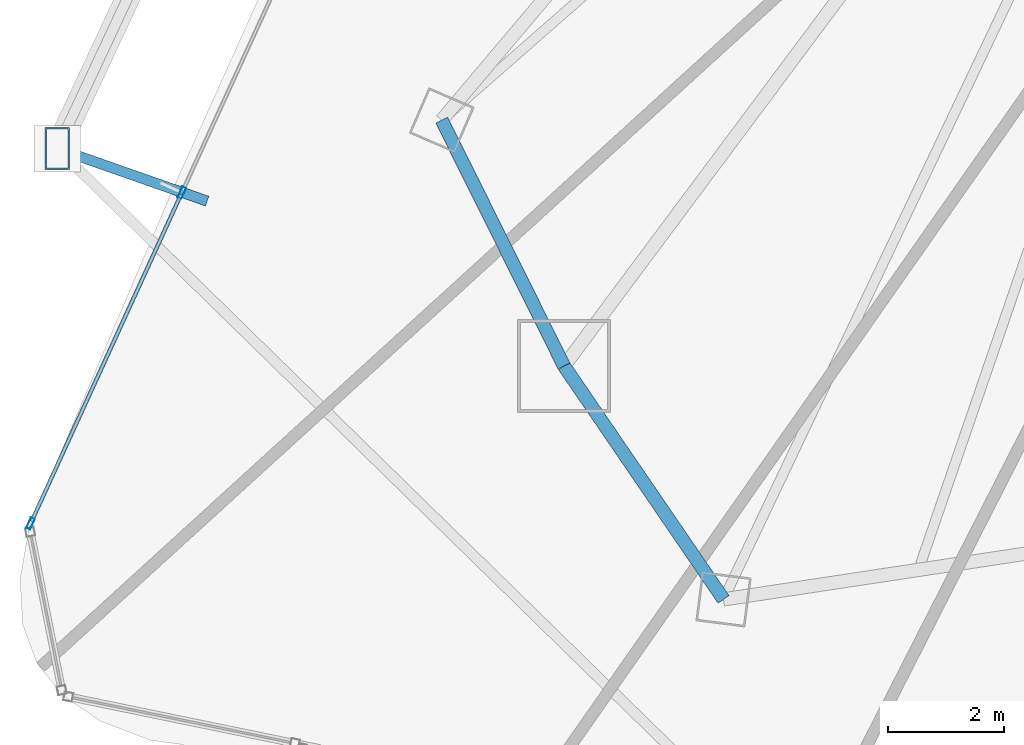
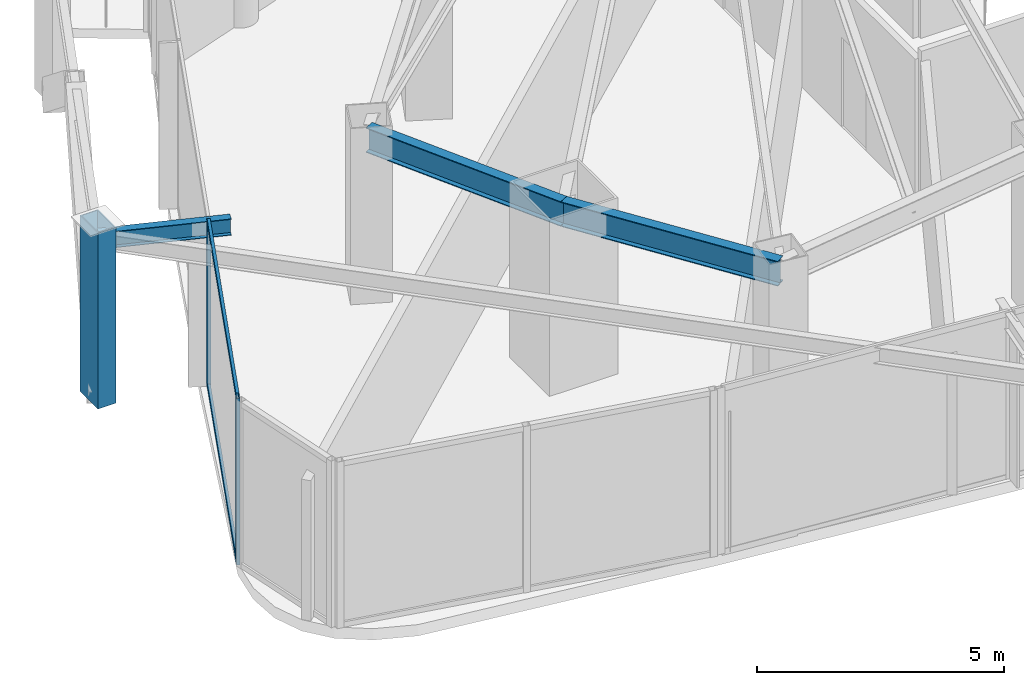
# One storey, part 5 of 33: 5 members, 3 beams, 1 element without a shape of its own.
"""IFC4 building model written with IfcOpenShell, lengths in metres."""

from ifc_helpers import new_model, si_unit, direction, frame, origin, origin_2d, place, context, subcontext, project, spatial, hollow_rectangle, i_section, extrude, material, layer, layer_set, material_profile, profile_set, type_object, element, aggregate, save


model = new_model("IFC4")

# Units and contexts
model_context = context("Model", 3, precision=1e-05, world=origin(), true_north=direction((0.0, 1.0)))
body_context = subcontext(model_context, "Body", "Model", "MODEL_VIEW")
ifc_project = project(units=[si_unit("LENGTHUNIT", "METRE"), si_unit("AREAUNIT", "SQUARE_METRE"), si_unit("VOLUMEUNIT", "CUBIC_METRE"), si_unit("PLANEANGLEUNIT", "RADIAN"), si_unit("MASSUNIT", "GRAM", prefix="KILO")], contexts=[model_context])

# Site, building, storey
site_placement = place(None, origin())
site = spatial("IfcSite", under=ifc_project, at=site_placement, CompositionType="ELEMENT")
building_placement = place(site_placement, origin())
building = spatial("IfcBuilding", under=site, at=building_placement, Name="Orvanel Arch Residences", CompositionType="ELEMENT")
storey_placement = place(building_placement, frame((0.0, 0.0, 59.89990234375)))
storey = spatial("IfcBuildingStorey", under=building, at=storey_placement, Name="L16", CompositionType="ELEMENT", Elevation=59.89990234375)

# Member
ifc_material_1 = material(Name="Structural steel AS/NZS 3678 Grade 350", Category="steel")
ifc_material_profile_1 = material_profile(ifc_material_1, hollow_rectangle(XDim=0.419921875, YDim=0.719970703125, WallThickness=0.02490234375, at=origin_2d()), Name="RHS720x420x25")
ifc_profile_set_1 = profile_set([ifc_material_profile_1], Name="Structural steel AS/NZS 3678 Grade 350")
member_type_1 = type_object("IfcMemberType", Name="CH-720RHS-EXT", PredefinedType="CHORD", material=ifc_profile_set_1)
member_1_placement = place(storey_placement, frame((5.48291015625, 14.091064453125, 0.0), z_axis=(0.0, 0.0, 1.0), x_axis=(1.0, 0.0, 0.0)))
element("IfcMember", 1, at=member_1_placement, inside=storey, type_object=member_type_1, Name="L16 Outer Perimeter Frame Post 04", PredefinedType="CHORD", context=body_context, shape_type="SweptSolid", body=[
    extrude(hollow_rectangle(XDim=0.419921875, YDim=0.719970703125, WallThickness=0.02490234375, at=origin_2d()), origin(), (0.0, 0.0, 1.0), 4.35009765625),
])

# Curtain wall, members
ifc_material_2 = material(Name="Bronze-anodised aluminium AA6063-T6", Category="aluminium")
ifc_layer = layer(ifc_material_2, 0.195068359375)
ifc_layer_set = layer_set([ifc_layer], Name="Bronze-anodised aluminium AA6063-T6")
curtain_wall_type = type_object("IfcCurtainWallType", Name="CW6-COM-SYS", PredefinedType="NOTDEFINED", material=ifc_layer_set)
curtain_wall_placement = place(storey_placement, origin())
curtain_wall = element("IfcCurtainWall", 2, at=curtain_wall_placement, inside=storey, type_object=curtain_wall_type, Name="L16 CW6-COM-SYS Unitised Curtain Wall", PredefinedType="NOTDEFINED")
ifc_material_profile_2 = material_profile(ifc_material_2, hollow_rectangle(XDim=0.074951171875, YDim=0.199951171875, WallThickness=0.0048828125, at=origin_2d()), Name="ALU200x75x5")
ifc_profile_set_2 = profile_set([ifc_material_profile_2], Name="Bronze-anodised aluminium AA6063-T6")
member_type_2 = type_object("IfcMemberType", Name="MUL-200x75", PredefinedType="MULLION", material=ifc_profile_set_2)
member_2_placement = place(storey_placement, frame((7.626708984375, 13.333740234375, 0.0), z_axis=(0.0, 0.0, 1.0), x_axis=(0.909406374809, -0.415908698463, 0.0)))
member_2 = element("IfcMember", 3, at=member_2_placement, type_object=member_type_2, Name="CW-S6 mullion 3", PredefinedType="MULLION", context=body_context, shape_type="SweptSolid", body=[
    extrude(hollow_rectangle(XDim=0.074951171875, YDim=0.199951171875, WallThickness=0.0048828125, at=origin_2d()), origin(), (0.0, 0.0, 1.0), 4.110107421875),
])
member_3_placement = place(storey_placement, frame((5.024658203125, 7.64404296875, 0.0), z_axis=(0.0, 0.0, 1.0), x_axis=(0.909406374809, -0.415908698463, 0.0)))
member_3 = element("IfcMember", 4, at=member_3_placement, type_object=member_type_2, Name="CW-S6 mullion 4", PredefinedType="MULLION", context=body_context, shape_type="SweptSolid", body=[
    extrude(hollow_rectangle(XDim=0.074951171875, YDim=0.199951171875, WallThickness=0.0048828125, at=origin_2d()), origin(), (0.0, 0.0, 1.0), 4.110107421875),
])

# Beams
ifc_material_3 = material(Name="Structural steel AS/NZS 3679.1 Grade 300 (300 MPa)", Category="steel")
ifc_material_profile_3 = material_profile(ifc_material_3, i_section(OverallWidth=0.177978515625, OverallDepth=0.406005859375, WebThickness=0.0078125, FlangeThickness=0.0126953125, at=origin_2d()), Name="410UB59.7")
ifc_profile_set_3 = profile_set([ifc_material_profile_3], Name="Structural steel AS/NZS 3679.1 Grade 300 (300 MPa)")
beam_type_1 = type_object("IfcBeamType", Name="OB-410UB-EXT", PredefinedType="SPANDREL", material=ifc_profile_set_3)
beam_1_placement = place(storey_placement, frame((8.06005859375, 13.18798828125, 3.906982421875), z_axis=(-0.943735636284, 0.330700844886, 0.0), x_axis=(-0.330700844886, -0.943735636284, 0.0)))
element("IfcBeam", 5, at=beam_1_placement, inside=storey, type_object=beam_type_1, Name="L16 Outer Frame Radial Tie Beam 04", PredefinedType="SPANDREL", context=body_context, shape_type="SweptSolid", body=[
    extrude(i_section(OverallWidth=0.177978515625, OverallDepth=0.406005859375, WebThickness=0.0078125, FlangeThickness=0.0126953125, at=origin_2d()), origin(), (0.0, 0.0, 1.0), 2.730712890625),
])
ifc_material_profile_4 = material_profile(ifc_material_3, i_section(OverallWidth=0.22900390625, OverallDepth=0.612060546875, WebThickness=0.011962890625, FlangeThickness=0.01953125, at=origin_2d()), Name="610UB125")
ifc_profile_set_4 = profile_set([ifc_material_profile_4], Name="Structural steel AS/NZS 3679.1 Grade 300 (300 MPa)")
beam_type_2 = type_object("IfcBeamType", Name="SP-610UB", PredefinedType="SPANDREL", material=ifc_profile_set_4)
beam_2_placement = place(storey_placement, frame((12.094970703125, 14.580078125, 3.80419921875), z_axis=(0.44543469453, -0.895314432425, 0.0), x_axis=(0.895314432425, 0.44543469453, 0.0)))
element("IfcBeam", 6, at=beam_2_placement, inside=storey, type_object=beam_type_2, Name="L16 Perimeter Spandrel Beam 02", PredefinedType="SPANDREL", context=body_context, shape_type="SweptSolid", body=[
    extrude(i_section(OverallWidth=0.22900390625, OverallDepth=0.612060546875, WebThickness=0.011962890625, FlangeThickness=0.01953125, at=origin_2d()), origin(), (0.0, 0.0, 1.0), 4.723388671875),
])
beam_3_placement = place(storey_placement, frame((14.198974609375, 10.35107421875, 3.80419921875), z_axis=(0.564251579852, -0.825602903722, 0.0), x_axis=(0.825602903722, 0.564251579852, 0.0)))
element("IfcBeam", 7, at=beam_3_placement, inside=storey, type_object=beam_type_2, Name="L16 Perimeter Spandrel Beam 03", PredefinedType="SPANDREL", context=body_context, shape_type="SweptSolid", body=[
    extrude(i_section(OverallWidth=0.22900390625, OverallDepth=0.612060546875, WebThickness=0.011962890625, FlangeThickness=0.01953125, at=origin_2d()), origin(), (0.0, 0.0, 1.0), 4.859375),
])

# Member
ifc_material_profile_5 = material_profile(ifc_material_2, hollow_rectangle(XDim=0.06494140625, YDim=0.14990234375, WallThickness=0.00390625, at=origin_2d()), Name="ALU150x65x4")
ifc_profile_set_5 = profile_set([ifc_material_profile_5], Name="Bronze-anodised aluminium AA6063-T6")
member_type_3 = type_object("IfcMemberType", Name="TRN-150x65", PredefinedType="USERDEFINED", material=ifc_profile_set_5)
member_4_placement = place(storey_placement, frame((7.611083984375, 13.299560546875, 0.03271484375), z_axis=(-0.415899767113, -0.909410459427, 0.0), x_axis=(0.909410459427, -0.415899767113, 0.0)))
member_4 = element("IfcMember", 8, at=member_4_placement, type_object=member_type_3, Name="CW-S6 transom 3.1", ObjectType="TRANSOM", PredefinedType="USERDEFINED", context=body_context, shape_type="SweptSolid", body=[
    extrude(hollow_rectangle(XDim=0.06494140625, YDim=0.14990234375, WallThickness=0.00390625, at=origin_2d()), origin(), (0.0, 0.0, 1.0), 6.181396484375),
])

member_5_placement = place(storey_placement, frame((7.611083984375, 13.299560546875, 4.07763671875), z_axis=(-0.415899767113, -0.909410459427, 0.0), x_axis=(0.909410459427, -0.415899767113, 0.0)))
member_5 = element("IfcMember", 9, at=member_5_placement, type_object=member_type_3, Name="CW-S6 transom 3.2", ObjectType="TRANSOM", PredefinedType="USERDEFINED", context=body_context, shape_type="SweptSolid", body=[
    extrude(hollow_rectangle(XDim=0.06494140625, YDim=0.14990234375, WallThickness=0.00390625, at=origin_2d()), origin(), (0.0, 0.0, 1.0), 6.181396484375),
])

aggregate(curtain_wall, [member_2, member_3, member_4, member_5])

save(model, "model.ifc")
